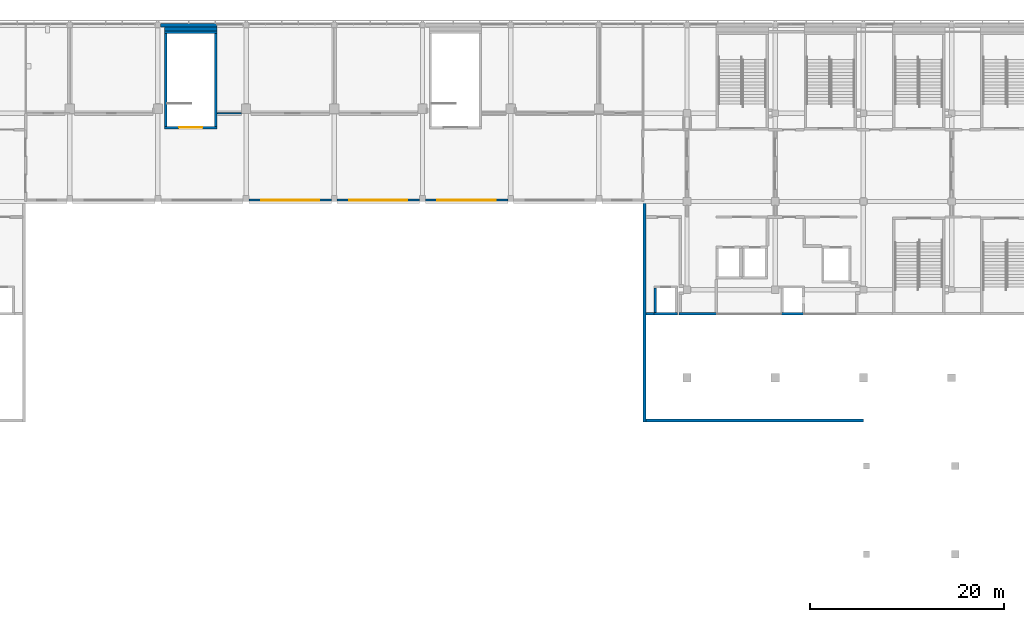
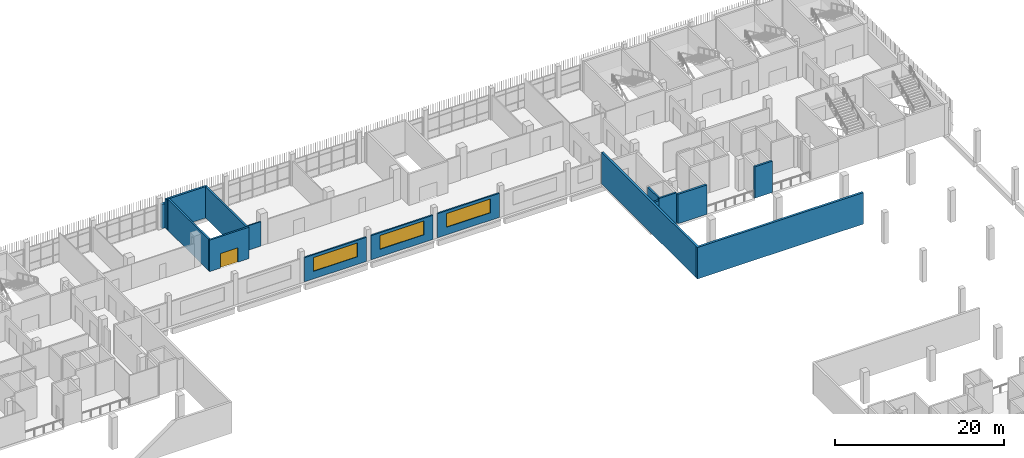
# One storey, part 63 of 104: 17 walls, 3 windows, 1 door, 4 openings.
"""IFC4 building model written with IfcOpenShell, lengths in metres."""

import ifcopenshell
import ifcopenshell.guid

model = None  # the IFC model being written
_history = None  # IfcOwnerHistory: only IFC2X3 demands one
_inside = {}  # id of a spatial element -> (the spatial element, [elements in it])
_under = {}  # id of a project, library or spatial element -> (it, [spatial elements below it])
_declared = {}  # id of a project -> (the project, [libraries it declares])
_typed = {}  # id of a type object -> (the type object, [elements of that type])
_made_of = {}  # id of a material, layer set ... -> (it, [elements and type objects made of it])


def new_model(schema):
    """Start an empty IFC model of exactly this schema.

    Asked for "IFC4X3", IfcOpenShell would pick the latest addendum, in which some entities
    have other attributes; the version numbers below select the first issue.
    IFC2X3 requires an IfcOwnerHistory on every rooted entity: one is made here for all.
    """
    global model, _history
    if schema == "IFC4X3":
        model = ifcopenshell.file(schema_version=(4, 3, 0, 0))
    else:
        model = ifcopenshell.file(schema=schema)
    _inside.clear()
    _under.clear()
    _declared.clear()
    _typed.clear()
    _made_of.clear()
    _history = None
    if model.schema == "IFC2X3":
        org = make("IfcOrganization", Name="unknown")
        user = make(
            "IfcPersonAndOrganization",
            ThePerson=make("IfcPerson", FamilyName="unknown"),
            TheOrganization=org,
        )
        app = make(
            "IfcApplication",
            ApplicationDeveloper=org,
            Version="unknown",
            ApplicationFullName="unknown",
            ApplicationIdentifier="unknown",
        )
        _history = make(
            "IfcOwnerHistory",
            OwningUser=user,
            OwningApplication=app,
            ChangeAction="ADDED",
            CreationDate=0,
        )
    return model


def make(cls, **values):
    """One entity of the class cls with the attributes given. An attribute that is None is left unset."""
    return model.create_entity(
        cls, **{name: value for name, value in values.items() if value is not None}
    )


def rooted(cls, **values):
    """An entity with a GlobalId (a new one), such as an element, a storey or a relation."""
    return make(cls, GlobalId=ifcopenshell.guid.new(), OwnerHistory=_history, **values)


def si_unit(unit_type, name, prefix=None):
    """IfcSIUnit, for example si_unit("LENGTHUNIT", "METRE", prefix="MILLI")."""
    return make("IfcSIUnit", UnitType=unit_type, Prefix=prefix, Name=name)


def assignment(units):
    """IfcUnitAssignment: the units of a project."""
    return None if units is None else make("IfcUnitAssignment", Units=units)


def point(xyz):
    """IfcCartesianPoint."""
    return None if xyz is None else make("IfcCartesianPoint", Coordinates=xyz)


def direction(xyz):
    """IfcDirection."""
    return None if xyz is None else make("IfcDirection", DirectionRatios=xyz)


def frame(location, z_axis=None, x_axis=None):
    """IfcAxis2Placement3D, a coordinate frame: its origin and axes. An axis left out is left unset."""
    return make(
        "IfcAxis2Placement3D",
        Location=point(location),
        Axis=direction(z_axis),
        RefDirection=direction(x_axis),
    )


def frame_2d(location, x_axis=None):
    """IfcAxis2Placement2D, a coordinate frame in the plane: its origin and x axis."""
    return make(
        "IfcAxis2Placement2D", Location=point(location), RefDirection=direction(x_axis)
    )


def origin():
    """The frame at (0, 0, 0) with its axes left unset."""
    return frame((0.0, 0.0, 0.0))


def place(relative_to, where):
    """IfcLocalPlacement: puts the frame where relative to a parent placement (None: the world)."""
    return make(
        "IfcLocalPlacement", PlacementRelTo=relative_to, RelativePlacement=where
    )


def context(
    kind, dimensions, precision=None, world=None, true_north=None, identifier=None
):
    """IfcGeometricRepresentationContext, for example the 3D "Model" context."""
    return make(
        "IfcGeometricRepresentationContext",
        ContextIdentifier=identifier,
        ContextType=kind,
        CoordinateSpaceDimension=dimensions,
        Precision=precision,
        WorldCoordinateSystem=world,
        TrueNorth=true_north,
    )


def subcontext(parent, identifier, kind, view, scale=None):
    """IfcGeometricRepresentationSubContext, for example "Body" below "Model"."""
    return make(
        "IfcGeometricRepresentationSubContext",
        ContextIdentifier=identifier,
        ContextType=kind,
        ParentContext=parent,
        TargetScale=scale,
        TargetView=view,
    )


def project(units=None, contexts=None):
    """IfcProject with its units and contexts."""
    return rooted(
        "IfcProject",
        Name="project",
        RepresentationContexts=contexts,
        UnitsInContext=assignment(units),
    )


def spatial(cls, under=None, at=None, **own):
    """A site, building, storey or space (cls), placed at a placement, below another one or the project."""
    s = rooted(cls, ObjectPlacement=at, **own)
    if under is not None:
        _under.setdefault(under.id(), (under, []))[1].append(s)
    return s


def profile(cls, at=None, kind="AREA", **sizes):
    """A parametric profile (cls). Its sizes go by their IFC names, for example OverallWidth=200.0."""
    return make(cls, ProfileType=kind, Position=at, **sizes)


def rectangle(**sizes):
    """IfcRectangleProfileDef."""
    return profile("IfcRectangleProfileDef", **sizes)


def extrude(swept, where, along, depth):
    """IfcExtrudedAreaSolid: the profile swept, set in the frame where, extruded along a direction by depth."""
    return make(
        "IfcExtrudedAreaSolid",
        SweptArea=swept,
        Position=where,
        ExtrudedDirection=direction(along),
        Depth=depth,
    )


def shape(context_of_items, identifier, shape_type, items):
    """IfcShapeRepresentation: the items that make up one representation, for example the "Body"."""
    return make(
        "IfcShapeRepresentation",
        ContextOfItems=context_of_items,
        RepresentationIdentifier=identifier,
        RepresentationType=shape_type,
        Items=items,
    )


def material(Name=None, Category=None):
    """IfcMaterial."""
    return make("IfcMaterial", Name=Name, Category=Category)


def layer(
    of_material, thickness, ventilated=None, Name=None, Category=None, Priority=None
):
    """IfcMaterialLayer: one layer of a wall or slab, of a material (None: an air gap)."""
    return make(
        "IfcMaterialLayer",
        Material=of_material,
        LayerThickness=thickness,
        IsVentilated=ventilated,
        Name=Name,
        Category=Category,
        Priority=Priority,
    )


def layer_set(layers, Name=None):
    """IfcMaterialLayerSet."""
    return make("IfcMaterialLayerSet", MaterialLayers=layers, LayerSetName=Name)


def made_of(thing, what):
    """Note that an element or type object is made of a material, layer set ...; save() writes the relation."""
    if what is not None:
        _made_of.setdefault(what.id(), (what, []))[1].append(thing)
    return thing


def type_object(cls, material=None, **own):
    """A type object (cls), such as IfcWallType, which elements share."""
    return made_of(rooted(cls, **own), material)


def element(
    cls,
    number,
    at=None,
    inside=None,
    cuts=None,
    type_object=None,
    material=None,
    context=None,
    identifier="Body",
    shape_type=None,
    held_by="IfcProductDefinitionShape",
    body=None,
    shapes=None,
    **own,
):
    """One element of the class cls, such as IfcWall. Its Tag is "e" and its number.

    at: its placement. inside: the storey or other place that contains it. cuts: it is an
    opening in that element (IfcRelVoidsElement). A single representation is given by context,
    identifier, shape_type and body (its items); several are given by shapes. held_by: the class
    of the entity that holds the representations. save() writes the other relations.
    """
    e = rooted(cls, Tag="e%d" % number, ObjectPlacement=at, **own)
    if body is not None:
        shapes = [shape(context, identifier, shape_type, body)]
    if shapes is not None:
        e.Representation = make(held_by, Representations=shapes)
    if inside is not None:
        _inside.setdefault(inside.id(), (inside, []))[1].append(e)
    if cuts is not None:
        rooted(
            "IfcRelVoidsElement", RelatingBuildingElement=cuts, RelatedOpeningElement=e
        )
    if type_object is not None:
        _typed.setdefault(type_object.id(), (type_object, []))[1].append(e)
    return made_of(e, material)


def fill(opening, filler):
    """IfcRelFillsElement: the door or window that sits in an opening."""
    return rooted(
        "IfcRelFillsElement",
        RelatingOpeningElement=opening,
        RelatedBuildingElement=filler,
    )


def aggregate(whole, parts):
    """IfcRelAggregates: a whole, such as a stair, and the parts it consists of."""
    return rooted("IfcRelAggregates", RelatingObject=whole, RelatedObjects=parts)


def save(model, path):
    """Write the relations noted so far, then the file.

    IfcRelAggregates (storeys below a building ...), IfcRelContainedInSpatialStructure (elements
    in a storey), IfcRelDefinesByType, IfcRelAssociatesMaterial and IfcRelDeclares: one each for
    every whole, place, type object, material and project.
    """
    for whole, parts in _under.values():
        aggregate(whole, parts)
    for where, things in _inside.values():
        rooted(
            "IfcRelContainedInSpatialStructure",
            RelatedElements=things,
            RelatingStructure=where,
        )
    for kind, things in _typed.values():
        rooted("IfcRelDefinesByType", RelatedObjects=things, RelatingType=kind)
    for what, things in _made_of.values():
        rooted("IfcRelAssociatesMaterial", RelatedObjects=things, RelatingMaterial=what)
    for by, libraries in _declared.values():
        rooted("IfcRelDeclares", RelatingContext=by, RelatedDefinitions=libraries)
    model.write(path)


model = new_model("IFC4")

# Units and contexts
model_context = context("Model", 3, precision=1e-05, world=origin(), true_north=direction((0.0, 1.0)))
body_context = subcontext(model_context, "Body", "Model", "MODEL_VIEW")
ifc_project = project(units=[si_unit("LENGTHUNIT", "METRE"), si_unit("AREAUNIT", "SQUARE_METRE"), si_unit("VOLUMEUNIT", "CUBIC_METRE"), si_unit("PLANEANGLEUNIT", "RADIAN"), si_unit("MASSUNIT", "GRAM", prefix="KILO")], contexts=[model_context])

# Site, building, storey
site_placement = place(None, origin())
site = spatial("IfcSite", under=ifc_project, at=site_placement, CompositionType="ELEMENT")
building_placement = place(site_placement, origin())
building = spatial("IfcBuilding", under=site, at=building_placement, Name="Shirokan Park Arena", CompositionType="ELEMENT")
storey_placement = place(building_placement, frame((0.0, 0.0, 10.919921875)))
storey = spatial("IfcBuildingStorey", under=building, at=storey_placement, Name="L02", CompositionType="ELEMENT", Elevation=10.919921875)

# Wall, opening, window
ifc_material_1 = material(Name="Cedar timber lining", Category="wood")
ifc_layer_1 = layer(ifc_material_1, 0.02001953125, Name="Cedar timber lining")
ifc_material_2 = material(Name="Plywood", Category="wood")
ifc_layer_2 = layer(ifc_material_2, 0.01806640625, Name="Plywood")
ifc_material_3 = material(Name="Mineral wool insulation")
ifc_layer_3 = layer(ifc_material_3, 0.14208984375, Name="Mineral wool insulation")
ifc_material_4 = material(Name="Gypsum board")
ifc_layer_4 = layer(ifc_material_4, 0.02001953125, Name="Gypsum board")
ifc_layer_set_1 = layer_set([ifc_layer_1, ifc_layer_2, ifc_layer_3, ifc_layer_4], Name="Cedar timber lining + Plywood + Mineral wool insulation + Gypsum board")
wall_type_1 = type_object("IfcWallType", Name="Bowl front wall 200", PredefinedType="PARTITIONING", material=ifc_layer_set_1)
wall_1_placement = place(storey_placement, frame((90.699951171875, 91.1298828125, 0.0), z_axis=(0.0, 0.0, 1.0), x_axis=(-1.0, 0.0, 0.0)))
wall_1 = element("IfcWall", 1, at=wall_1_placement, inside=storey, type_object=wall_type_1, Name="Bowl front wall 200 L02", PredefinedType="PARTITIONING", context=body_context, shape_type="SweptSolid", body=[
    extrude(rectangle(XDim=8.5, YDim=0.199951171875, at=frame_2d((4.25, 0.0))), origin(), (0.0, 0.0, 1.0), 3.5),
])
opening_1_placement = place(wall_1_placement, frame((1.25, 0.0, 1.10009765625)))
opening_1 = element("IfcOpeningElement", 2, at=opening_1_placement, cuts=wall_1, Name="Opening W6", PredefinedType="OPENING", context=body_context, shape_type="SweptSolid", body=[
    extrude(rectangle(XDim=6.0, YDim=2.0, at=frame_2d((3.0, 1.0))), frame((0.0, 0.10986328125, 0.0), z_axis=(0.0, -1.0, 0.0), x_axis=(1.0, 0.0, 0.0)), (0.0, 0.0, 1.0), 0.219970703125),
])
ifc_material_5 = material(Name="Aluminium frame with laminated glass", Category="aluminium")
window_type = type_object("IfcWindowType", Name="Lounge viewing window 6000 x 2000", PartitioningType="SINGLE_PANEL", PredefinedType="WINDOW", material=ifc_material_5)
window_1_placement = place(opening_1_placement, origin())
window_1 = element("IfcWindow", 3, at=window_1_placement, inside=storey, type_object=window_type, Name="Lounge viewing window 6000 x 2000 L02", OverallHeight=2.0, OverallWidth=6.0, PartitioningType="SINGLE_PANEL", PredefinedType="WINDOW", context=body_context, shape_type="SweptSolid", body=[
    extrude(rectangle(XDim=6.0, YDim=2.0, at=frame_2d((3.0, 1.0))), frame((0.0, 0.030029296875, 0.0), z_axis=(0.0, -1.0, 0.0), x_axis=(1.0, 0.0, 0.0)), (0.0, 0.0, 1.0), 0.06005859375),
])
fill(opening_1, window_1)

wall_2_placement = place(storey_placement, frame((81.60009765625, 91.1298828125, 0.0), z_axis=(0.0, 0.0, 1.0), x_axis=(-1.0, 0.0, 0.0)))
wall_2 = element("IfcWall", 4, at=wall_2_placement, inside=storey, type_object=wall_type_1, Name="Bowl front wall 200 L02", PredefinedType="PARTITIONING", context=body_context, shape_type="SweptSolid", body=[
    extrude(rectangle(XDim=8.5, YDim=0.199951171875, at=frame_2d((4.25, 0.0))), origin(), (0.0, 0.0, 1.0), 3.5),
])
opening_2_placement = place(wall_2_placement, frame((1.25, 0.0, 1.10009765625)))
opening_2 = element("IfcOpeningElement", 5, at=opening_2_placement, cuts=wall_2, Name="Opening W6", PredefinedType="OPENING", context=body_context, shape_type="SweptSolid", body=[
    extrude(rectangle(XDim=6.0, YDim=2.0, at=frame_2d((3.0, 1.0))), frame((0.0, 0.10986328125, 0.0), z_axis=(0.0, -1.0, 0.0), x_axis=(1.0, 0.0, 0.0)), (0.0, 0.0, 1.0), 0.219970703125),
])
window_2_placement = place(opening_2_placement, origin())
window_2 = element("IfcWindow", 6, at=window_2_placement, inside=storey, type_object=window_type, Name="Lounge viewing window 6000 x 2000 L02", OverallHeight=2.0, OverallWidth=6.0, PartitioningType="SINGLE_PANEL", PredefinedType="WINDOW", context=body_context, shape_type="SweptSolid", body=[
    extrude(rectangle(XDim=6.0, YDim=2.0, at=frame_2d((3.0, 1.0))), frame((0.0, 0.030029296875, 0.0), z_axis=(0.0, -1.0, 0.0), x_axis=(1.0, 0.0, 0.0)), (0.0, 0.0, 1.0), 0.06005859375),
])
fill(opening_2, window_2)

wall_3_placement = place(storey_placement, frame((72.5, 91.1298828125, 0.0), z_axis=(0.0, 0.0, 1.0), x_axis=(-1.0, 0.0, 0.0)))
wall_3 = element("IfcWall", 7, at=wall_3_placement, inside=storey, type_object=wall_type_1, Name="Bowl front wall 200 L02", PredefinedType="PARTITIONING", context=body_context, shape_type="SweptSolid", body=[
    extrude(rectangle(XDim=8.5, YDim=0.199951171875, at=frame_2d((4.25, 0.0))), origin(), (0.0, 0.0, 1.0), 3.5),
])
opening_3_placement = place(wall_3_placement, frame((1.25, 0.0, 1.10009765625)))
opening_3 = element("IfcOpeningElement", 8, at=opening_3_placement, cuts=wall_3, Name="Opening W6", PredefinedType="OPENING", context=body_context, shape_type="SweptSolid", body=[
    extrude(rectangle(XDim=6.0, YDim=2.0, at=frame_2d((3.0, 1.0))), frame((0.0, 0.10986328125, 0.0), z_axis=(0.0, -1.0, 0.0), x_axis=(1.0, 0.0, 0.0)), (0.0, 0.0, 1.0), 0.219970703125),
])
window_3_placement = place(opening_3_placement, origin())
window_3 = element("IfcWindow", 9, at=window_3_placement, inside=storey, type_object=window_type, Name="Lounge viewing window 6000 x 2000 L02", OverallHeight=2.0, OverallWidth=6.0, PartitioningType="SINGLE_PANEL", PredefinedType="WINDOW", context=body_context, shape_type="SweptSolid", body=[
    extrude(rectangle(XDim=6.0, YDim=2.0, at=frame_2d((3.0, 1.0))), frame((0.0, 0.030029296875, 0.0), z_axis=(0.0, -1.0, 0.0), x_axis=(1.0, 0.0, 0.0)), (0.0, 0.0, 1.0), 0.06005859375),
])
fill(opening_3, window_3)

# Walls
ifc_material_6 = material(Name="Cedar cladding")
ifc_layer_5 = layer(ifc_material_6, 0.030029296875, Name="Cedar cladding")
ifc_layer_6 = layer(ifc_material_3, 0.10009765625, Name="Mineral wool insulation")
ifc_material_7 = material(Name="Concrete C35", Category="concrete")
ifc_layer_7 = layer(ifc_material_7, 0.199951171875, Name="Concrete C35")
ifc_material_8 = material(Name="Gypsum board lining")
ifc_layer_8 = layer(ifc_material_8, 0.02001953125, Name="Gypsum board lining")
ifc_layer_set_2 = layer_set([ifc_layer_5, ifc_layer_6, ifc_layer_7, ifc_layer_8], Name="Cedar cladding + Mineral wool insulation + Concrete C35 + Gypsum board lining")
wall_type_2 = type_object("IfcWallType", Name="Insulated tower wall 350", PredefinedType="SOLIDWALL", material=ifc_layer_set_2)
wall_4_placement = place(storey_placement, frame((60.699951171875, 109.175048828125, 0.0), z_axis=(0.0, 0.0, 1.0), x_axis=(-1.0, 0.0, 0.0)))
element("IfcWall", 10, at=wall_4_placement, inside=storey, type_object=wall_type_2, Name="North facade wall bay 10 L02", PredefinedType="SOLIDWALL", context=body_context, shape_type="SweptSolid", body=[
    extrude(rectangle(XDim=5.824951171875, YDim=0.35009765625, at=frame_2d((2.91259765625, 0.0))), origin(), (0.0, 0.0, 1.0), 3.5),
])
ifc_material_9 = material(Name="Ceramic tile")
ifc_layer_9 = layer(ifc_material_9, 0.010009765625, Name="Ceramic tile")
ifc_material_10 = material(Name="Render")
ifc_layer_10 = layer(ifc_material_10, 0.010009765625, Name="Render")
ifc_material_11 = material(Name="Concrete blockwork", Category="masonry")
ifc_layer_11 = layer(ifc_material_11, 0.10009765625, Name="Concrete blockwork 100")
ifc_layer_12 = layer(ifc_material_10, 0.010009765625, Name="Render")
ifc_layer_13 = layer(ifc_material_9, 0.010009765625, Name="Ceramic tile")
ifc_layer_set_3 = layer_set([ifc_layer_9, ifc_layer_10, ifc_layer_11, ifc_layer_12, ifc_layer_13], Name="Ceramic tile + Render + Concrete blockwork 100")
wall_type_3 = type_object("IfcWallType", Name="Kitchen wall 140", PredefinedType="SOLIDWALL", material=ifc_layer_set_3)
wall_5_placement = place(storey_placement, frame((60.72998046875, 100.10009765625, 0.0), z_axis=(0.0, 0.0, 1.0), x_axis=(1.0, 0.0, 0.0)))
element("IfcWall", 11, at=wall_5_placement, inside=storey, type_object=wall_type_3, Name="Kitchen wall 140 L02", PredefinedType="SOLIDWALL", context=body_context, shape_type="SweptSolid", body=[
    extrude(rectangle(XDim=2.4951171875, YDim=0.139892578125, at=frame_2d((1.24755859375, 0.0))), origin(), (0.0, 0.0, 1.0), 3.550048828125),
])
ifc_material_12 = material(Name="Plaster")
ifc_layer_14 = layer(ifc_material_12, 0.012451171875, Name="Plaster")
ifc_layer_15 = layer(ifc_material_11, 0.25, Name="Concrete blockwork 250")
ifc_layer_16 = layer(ifc_material_12, 0.012451171875, Name="Plaster")
ifc_layer_set_4 = layer_set([ifc_layer_14, ifc_layer_15, ifc_layer_16], Name="Plaster + Concrete blockwork 250")
wall_type_4 = type_object("IfcWallType", Name="Plant room wall 275", PredefinedType="SOLIDWALL", material=ifc_layer_set_4)
wall_6_placement = place(storey_placement, frame((105.77001953125, 79.425048828125, 0.0), z_axis=(0.0, 0.0, 1.0), x_axis=(-1.0, 0.0, 0.0)))
element("IfcWall", 12, at=wall_6_placement, inside=storey, type_object=wall_type_4, Name="Plant room wall 275 L02", PredefinedType="SOLIDWALL", context=body_context, shape_type="SweptSolid", body=[
    extrude(rectangle(XDim=0.820068359375, YDim=0.27490234375, at=frame_2d((0.41015625, 0.0))), origin(), (0.0, 0.0, 1.0), 4.25),
])
wall_7_placement = place(storey_placement, frame((108.362548828125, 79.425048828125, 0.0), z_axis=(0.0, 0.0, 1.0), x_axis=(1.0, 0.0, 0.0)))
element("IfcWall", 13, at=wall_7_placement, inside=storey, type_object=wall_type_4, Name="Plant room wall 275 L02", PredefinedType="SOLIDWALL", context=body_context, shape_type="SweptSolid", body=[
    extrude(rectangle(XDim=3.974853515625, YDim=0.27490234375, at=frame_2d((1.9873046875, 0.0))), origin(), (0.0, 0.0, 1.0), 4.25),
])
ifc_layer_17 = layer(ifc_material_7, 0.300048828125)
ifc_layer_set_5 = layer_set([ifc_layer_17], Name="Concrete C35 300 mm")
wall_type_5 = type_object("IfcWallType", Name="RC flank wall 300", PredefinedType="SHEAR", material=ifc_layer_set_5)
for number, where, z_axis, x_axis, name in (
    (14, (104.800048828125, 68.25, 0.0), (0.0, 0.0, 1.0), (0.0, 1.0, 0.0), "Flank wall N2 L02"),
    (15, (104.64990234375, 68.39990234375, 0.0), (0.0, 0.0, 1.0), (1.0, 0.0, 0.0), "Flank wall E2 L02"),
):
    element("IfcWall", number, at=place(storey_placement, frame(where, z_axis=z_axis, x_axis=x_axis)), inside=storey, type_object=wall_type_5, Name=name, PredefinedType="SHEAR", context=body_context, shape_type="SweptSolid", body=[
        extrude(rectangle(XDim=22.75, YDim=0.300048828125, at=frame_2d((11.375, 0.0))), origin(), (0.0, 0.0, 1.0), 4.550048828125),
    ])
ifc_material_13 = material(Name="Concrete C40/50", Category="concrete")
ifc_layer_18 = layer(ifc_material_13, 0.25)
ifc_layer_set_6 = layer_set([ifc_layer_18], Name="Concrete C40/50 250 mm")
wall_type_6 = type_object("IfcWallType", Name="RC shear wall 250", PredefinedType="SHEAR", material=ifc_layer_set_6)
wall_8_placement = place(storey_placement, frame((108.199951171875, 79.425048828125, 0.0), z_axis=(0.0, 0.0, 1.0), x_axis=(-1.0, 0.0, 0.0)))
element("IfcWall", 16, at=wall_8_placement, inside=storey, type_object=wall_type_6, Name="Shaft wall Services Riser 3.1 S L02", PredefinedType="SHEAR", context=body_context, shape_type="SweptSolid", body=[
    extrude(rectangle(XDim=2.39990234375, YDim=0.25, at=frame_2d((1.199951171875, 0.0))), origin(), (0.0, 0.0, 1.0), 4.550048828125),
])
wall_9_placement = place(storey_placement, frame((105.925048828125, 82.050048828125, 0.0), z_axis=(0.0, 0.0, 1.0), x_axis=(0.0, -1.0, 0.0)))
element("IfcWall", 17, at=wall_9_placement, inside=storey, type_object=wall_type_6, Name="Shaft wall Services Riser 3.1 W L02", PredefinedType="SHEAR", context=body_context, shape_type="SweptSolid", body=[
    extrude(rectangle(XDim=2.5, YDim=0.25, at=frame_2d((1.25, 0.0))), origin(), (0.0, 0.0, 1.0), 4.550048828125),
])
wall_10_placement = place(storey_placement, frame((121.300048828125, 79.425048828125, 0.0), z_axis=(0.0, 0.0, 1.0), x_axis=(-1.0, 0.0, 0.0)))
element("IfcWall", 18, at=wall_10_placement, inside=storey, type_object=wall_type_6, Name="Shaft wall Services Riser 3.2 S L02", PredefinedType="SHEAR", context=body_context, shape_type="SweptSolid", body=[
    extrude(rectangle(XDim=2.400146484375, YDim=0.25, at=frame_2d((1.2001953125, 0.0))), origin(), (0.0, 0.0, 1.0), 4.550048828125),
])

# Wall, opening, door
wall_11_placement = place(storey_placement, frame((60.699951171875, 98.625, 0.0), z_axis=(0.0, 0.0, 1.0), x_axis=(-1.0, 0.0, 0.0)))
wall_11 = element("IfcWall", 19, at=wall_11_placement, inside=storey, type_object=wall_type_6, Name="Shaft wall Entrance Stair E4.1 S L02", PredefinedType="SHEAR", context=body_context, shape_type="SweptSolid", body=[
    extrude(rectangle(XDim=5.39990234375, YDim=0.25, at=frame_2d((2.699951171875, 0.0))), origin(), (0.0, 0.0, 1.0), 4.550048828125),
])
opening_4_placement = place(wall_11_placement, frame((1.5, 0.0, 0.0)))
opening_4 = element("IfcOpeningElement", 20, at=opening_4_placement, cuts=wall_11, Name="Opening D-2112", PredefinedType="OPENING", context=body_context, shape_type="SweptSolid", body=[
    extrude(rectangle(XDim=2.39990234375, YDim=2.10009765625, at=frame_2d((1.199951171875, 1.050048828125))), frame((0.0, 0.135009765625, 0.0), z_axis=(0.0, -1.0, 0.0), x_axis=(1.0, 0.0, 0.0)), (0.0, 0.0, 1.0), 0.27001953125),
])
ifc_material_14 = material(Name="Steel door set, fire resisting", Category="steel")
door_type = type_object("IfcDoorType", Name="Stair door 2400 x 2100", OperationType="DOUBLE_DOOR_SINGLE_SWING", PredefinedType="DOOR", material=ifc_material_14)
door_placement = place(opening_4_placement, origin())
door = element("IfcDoor", 21, at=door_placement, inside=storey, type_object=door_type, Name="Stair door Entrance Stair E4.1 D-2112", OperationType="DOUBLE_DOOR_SINGLE_SWING", OverallHeight=2.10009765625, OverallWidth=2.39990234375, PredefinedType="DOOR", context=body_context, shape_type="SweptSolid", body=[
    extrude(rectangle(XDim=2.39990234375, YDim=2.10009765625, at=frame_2d((1.199951171875, 1.050048828125))), frame((0.0, 0.02490234375, 0.0), z_axis=(0.0, -1.0, 0.0), x_axis=(1.0, 0.0, 0.0)), (0.0, 0.0, 1.0), 0.050048828125),
])
fill(opening_4, door)

# Walls
wall_12_placement = place(storey_placement, frame((60.699951171875, 108.47509765625, 0.0), z_axis=(0.0, 0.0, 1.0), x_axis=(-1.0, 0.0, 0.0)))
element("IfcWall", 22, at=wall_12_placement, inside=storey, type_object=wall_type_6, Name="Shaft wall Entrance Stair E4.1 N L02", PredefinedType="SHEAR", context=body_context, shape_type="SweptSolid", body=[
    extrude(rectangle(XDim=5.39990234375, YDim=0.25, at=frame_2d((2.699951171875, 0.0))), origin(), (0.0, 0.0, 1.0), 4.550048828125),
])
for number, where, z_axis, x_axis, name in (
    (23, (55.425048828125, 108.35009765625, 0.0), (0.0, 0.0, 1.0), (0.0, -1.0, 0.0), "Shaft wall Entrance Stair E4.1 W L02"),
    (24, (60.574951171875, 108.35009765625, 0.0), (0.0, 0.0, 1.0), (0.0, -1.0, 0.0), "Shaft wall Entrance Stair E4.1 E L02"),
):
    element("IfcWall", number, at=place(storey_placement, frame(where, z_axis=z_axis, x_axis=x_axis)), inside=storey, type_object=wall_type_6, Name=name, PredefinedType="SHEAR", context=body_context, shape_type="SweptSolid", body=[
        extrude(rectangle(XDim=9.60009765625, YDim=0.25, at=frame_2d((4.800048828125, 0.0))), origin(), (0.0, 0.0, 1.0), 4.550048828125),
    ])
ifc_layer_19 = layer(ifc_material_7, 0.39990234375)
ifc_layer_set_7 = layer_set([ifc_layer_19], Name="Concrete C35 400 mm")
wall_type_7 = type_object("IfcWallType", Name="Shaft infill wall 400", PredefinedType="SOLIDWALL", material=ifc_layer_set_7)
wall_13_placement = place(storey_placement, frame((55.300048828125, 108.800048828125, 0.0), z_axis=(0.0, 0.0, 1.0), x_axis=(1.0, 0.0, 0.0)))
element("IfcWall", 25, at=wall_13_placement, inside=storey, type_object=wall_type_7, Name="Shaft infill wall L02", PredefinedType="SOLIDWALL", context=body_context, shape_type="SweptSolid", body=[
    extrude(rectangle(XDim=5.39990234375, YDim=0.39990234375, at=frame_2d((2.699951171875, 0.0))), origin(), (0.0, 0.0, 1.0), 4.25),
])

save(model, "model.ifc")
